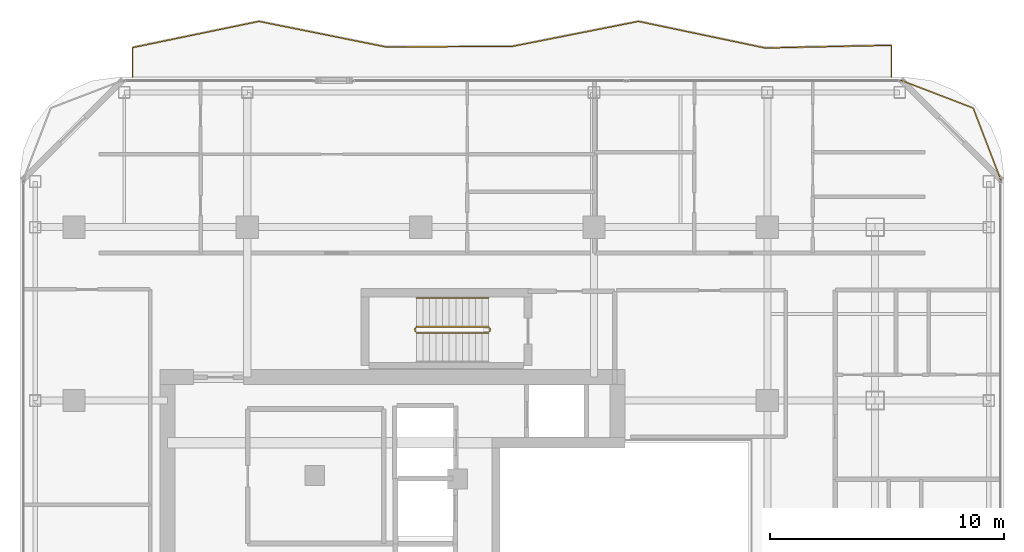
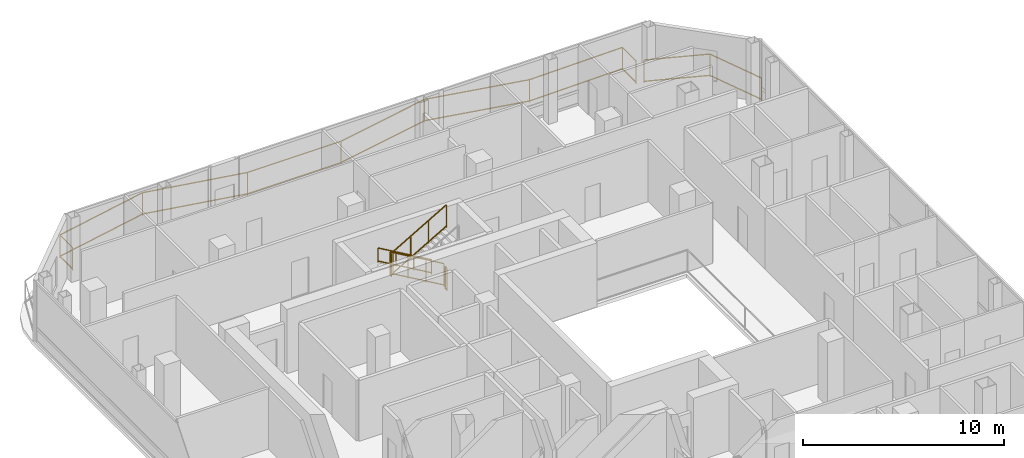
# One storey, part 24 of 24: 7 railings.
"""IFC4 building model written with IfcOpenShell, lengths in metres."""

import ifcopenshell
import ifcopenshell.guid

model = None  # the IFC model being written
_history = None  # IfcOwnerHistory: only IFC2X3 demands one
_inside = {}  # id of a spatial element -> (the spatial element, [elements in it])
_under = {}  # id of a project, library or spatial element -> (it, [spatial elements below it])
_declared = {}  # id of a project -> (the project, [libraries it declares])
_typed = {}  # id of a type object -> (the type object, [elements of that type])
_made_of = {}  # id of a material, layer set ... -> (it, [elements and type objects made of it])


def new_model(schema):
    """Start an empty IFC model of exactly this schema.

    Asked for "IFC4X3", IfcOpenShell would pick the latest addendum, in which some entities
    have other attributes; the version numbers below select the first issue.
    IFC2X3 requires an IfcOwnerHistory on every rooted entity: one is made here for all.
    """
    global model, _history
    if schema == "IFC4X3":
        model = ifcopenshell.file(schema_version=(4, 3, 0, 0))
    else:
        model = ifcopenshell.file(schema=schema)
    _inside.clear()
    _under.clear()
    _declared.clear()
    _typed.clear()
    _made_of.clear()
    _history = None
    if model.schema == "IFC2X3":
        org = make("IfcOrganization", Name="unknown")
        user = make(
            "IfcPersonAndOrganization",
            ThePerson=make("IfcPerson", FamilyName="unknown"),
            TheOrganization=org,
        )
        app = make(
            "IfcApplication",
            ApplicationDeveloper=org,
            Version="unknown",
            ApplicationFullName="unknown",
            ApplicationIdentifier="unknown",
        )
        _history = make(
            "IfcOwnerHistory",
            OwningUser=user,
            OwningApplication=app,
            ChangeAction="ADDED",
            CreationDate=0,
        )
    return model


def make(cls, **values):
    """One entity of the class cls with the attributes given. An attribute that is None is left unset."""
    return model.create_entity(
        cls, **{name: value for name, value in values.items() if value is not None}
    )


def rooted(cls, **values):
    """An entity with a GlobalId (a new one), such as an element, a storey or a relation."""
    return make(cls, GlobalId=ifcopenshell.guid.new(), OwnerHistory=_history, **values)


def si_unit(unit_type, name, prefix=None):
    """IfcSIUnit, for example si_unit("LENGTHUNIT", "METRE", prefix="MILLI")."""
    return make("IfcSIUnit", UnitType=unit_type, Prefix=prefix, Name=name)


def assignment(units):
    """IfcUnitAssignment: the units of a project."""
    return None if units is None else make("IfcUnitAssignment", Units=units)


def point(xyz):
    """IfcCartesianPoint."""
    return None if xyz is None else make("IfcCartesianPoint", Coordinates=xyz)


def direction(xyz):
    """IfcDirection."""
    return None if xyz is None else make("IfcDirection", DirectionRatios=xyz)


def frame(location, z_axis=None, x_axis=None):
    """IfcAxis2Placement3D, a coordinate frame: its origin and axes. An axis left out is left unset."""
    return make(
        "IfcAxis2Placement3D",
        Location=point(location),
        Axis=direction(z_axis),
        RefDirection=direction(x_axis),
    )


def frame_2d(location, x_axis=None):
    """IfcAxis2Placement2D, a coordinate frame in the plane: its origin and x axis."""
    return make(
        "IfcAxis2Placement2D", Location=point(location), RefDirection=direction(x_axis)
    )


def origin():
    """The frame at (0, 0, 0) with its axes left unset."""
    return frame((0.0, 0.0, 0.0))


def origin_2d():
    """The frame at (0, 0) in the plane with its x axis left unset."""
    return frame_2d((0.0, 0.0))


def place(relative_to, where):
    """IfcLocalPlacement: puts the frame where relative to a parent placement (None: the world)."""
    return make(
        "IfcLocalPlacement", PlacementRelTo=relative_to, RelativePlacement=where
    )


def context(
    kind, dimensions, precision=None, world=None, true_north=None, identifier=None
):
    """IfcGeometricRepresentationContext, for example the 3D "Model" context."""
    return make(
        "IfcGeometricRepresentationContext",
        ContextIdentifier=identifier,
        ContextType=kind,
        CoordinateSpaceDimension=dimensions,
        Precision=precision,
        WorldCoordinateSystem=world,
        TrueNorth=true_north,
    )


def subcontext(parent, identifier, kind, view, scale=None):
    """IfcGeometricRepresentationSubContext, for example "Body" below "Model"."""
    return make(
        "IfcGeometricRepresentationSubContext",
        ContextIdentifier=identifier,
        ContextType=kind,
        ParentContext=parent,
        TargetScale=scale,
        TargetView=view,
    )


def project(units=None, contexts=None):
    """IfcProject with its units and contexts."""
    return rooted(
        "IfcProject",
        Name="project",
        RepresentationContexts=contexts,
        UnitsInContext=assignment(units),
    )


def spatial(cls, under=None, at=None, **own):
    """A site, building, storey or space (cls), placed at a placement, below another one or the project."""
    s = rooted(cls, ObjectPlacement=at, **own)
    if under is not None:
        _under.setdefault(under.id(), (under, []))[1].append(s)
    return s


def profile(cls, at=None, kind="AREA", **sizes):
    """A parametric profile (cls). Its sizes go by their IFC names, for example OverallWidth=200.0."""
    return make(cls, ProfileType=kind, Position=at, **sizes)


def rectangle(**sizes):
    """IfcRectangleProfileDef."""
    return profile("IfcRectangleProfileDef", **sizes)


def extrude(swept, where, along, depth):
    """IfcExtrudedAreaSolid: the profile swept, set in the frame where, extruded along a direction by depth."""
    return make(
        "IfcExtrudedAreaSolid",
        SweptArea=swept,
        Position=where,
        ExtrudedDirection=direction(along),
        Depth=depth,
    )


def shape(context_of_items, identifier, shape_type, items):
    """IfcShapeRepresentation: the items that make up one representation, for example the "Body"."""
    return make(
        "IfcShapeRepresentation",
        ContextOfItems=context_of_items,
        RepresentationIdentifier=identifier,
        RepresentationType=shape_type,
        Items=items,
    )


def material(Name=None, Category=None):
    """IfcMaterial."""
    return make("IfcMaterial", Name=Name, Category=Category)


def made_of(thing, what):
    """Note that an element or type object is made of a material, layer set ...; save() writes the relation."""
    if what is not None:
        _made_of.setdefault(what.id(), (what, []))[1].append(thing)
    return thing


def type_object(cls, material=None, **own):
    """A type object (cls), such as IfcWallType, which elements share."""
    return made_of(rooted(cls, **own), material)


def element(
    cls,
    number,
    at=None,
    inside=None,
    cuts=None,
    type_object=None,
    material=None,
    context=None,
    identifier="Body",
    shape_type=None,
    held_by="IfcProductDefinitionShape",
    body=None,
    shapes=None,
    **own,
):
    """One element of the class cls, such as IfcWall. Its Tag is "e" and its number.

    at: its placement. inside: the storey or other place that contains it. cuts: it is an
    opening in that element (IfcRelVoidsElement). A single representation is given by context,
    identifier, shape_type and body (its items); several are given by shapes. held_by: the class
    of the entity that holds the representations. save() writes the other relations.
    """
    e = rooted(cls, Tag="e%d" % number, ObjectPlacement=at, **own)
    if body is not None:
        shapes = [shape(context, identifier, shape_type, body)]
    if shapes is not None:
        e.Representation = make(held_by, Representations=shapes)
    if inside is not None:
        _inside.setdefault(inside.id(), (inside, []))[1].append(e)
    if cuts is not None:
        rooted(
            "IfcRelVoidsElement", RelatingBuildingElement=cuts, RelatedOpeningElement=e
        )
    if type_object is not None:
        _typed.setdefault(type_object.id(), (type_object, []))[1].append(e)
    return made_of(e, material)


def aggregate(whole, parts):
    """IfcRelAggregates: a whole, such as a stair, and the parts it consists of."""
    return rooted("IfcRelAggregates", RelatingObject=whole, RelatedObjects=parts)


def save(model, path):
    """Write the relations noted so far, then the file.

    IfcRelAggregates (storeys below a building ...), IfcRelContainedInSpatialStructure (elements
    in a storey), IfcRelDefinesByType, IfcRelAssociatesMaterial and IfcRelDeclares: one each for
    every whole, place, type object, material and project.
    """
    for whole, parts in _under.values():
        aggregate(whole, parts)
    for where, things in _inside.values():
        rooted(
            "IfcRelContainedInSpatialStructure",
            RelatedElements=things,
            RelatingStructure=where,
        )
    for kind, things in _typed.values():
        rooted("IfcRelDefinesByType", RelatedObjects=things, RelatingType=kind)
    for what, things in _made_of.values():
        rooted("IfcRelAssociatesMaterial", RelatedObjects=things, RelatingMaterial=what)
    for by, libraries in _declared.values():
        rooted("IfcRelDeclares", RelatingContext=by, RelatedDefinitions=libraries)
    model.write(path)


model = new_model("IFC4")

# Units and contexts
model_context = context("Model", 3, precision=1e-05, world=origin(), true_north=direction((0.0, 1.0)))
body_context = subcontext(model_context, "Body", "Model", "MODEL_VIEW")
ifc_project = project(units=[si_unit("LENGTHUNIT", "METRE"), si_unit("AREAUNIT", "SQUARE_METRE"), si_unit("VOLUMEUNIT", "CUBIC_METRE"), si_unit("PLANEANGLEUNIT", "RADIAN"), si_unit("MASSUNIT", "GRAM", prefix="KILO")], contexts=[model_context])

# Site, building, storey
site_placement = place(None, origin())
site = spatial("IfcSite", under=ifc_project, at=site_placement, CompositionType="ELEMENT")
building_placement = place(site_placement, origin())
building = spatial("IfcBuilding", under=site, at=building_placement, Name="Khorvyn Point Tower", CompositionType="ELEMENT")
storey_placement = place(building_placement, frame((0.0, 0.0, 266.39990234375)))
storey = spatial("IfcBuildingStorey", under=building, at=storey_placement, Name="L65", CompositionType="ELEMENT", Elevation=266.39990234375)

# Railings
ifc_material_1 = material(Name="Anodised aluminium 6063-T6 and laminated safety glass", Category="aluminium")
railing_type_1 = type_object("IfcRailingType", Name="Laminated Glass and Aluminium Balcony Guardrail 1400", PredefinedType="BALUSTRADE", material=ifc_material_1)
railing_1_placement = place(storey_placement, frame((24.7744140625, 16.78662109375, 0.0)))
element("IfcRailing", 1, at=railing_1_placement, inside=storey, type_object=railing_type_1, Name="L65 Rounded Corner Edge Guardrail NE", PredefinedType="BALUSTRADE", context=body_context, shape_type="SweptSolid", body=[
    extrude(rectangle(XDim=0.048095703125, YDim=0.048095703125, at=origin_2d()), frame((0.0, 0.0, 1.3759765625), z_axis=(-0.358392411044, 0.93357103624, 0.0), x_axis=(-0.93357103624, -0.358392411044, 0.0)), (0.0, 0.0, 1.0), 3.31884765625),
    extrude(rectangle(XDim=0.048095703125, YDim=0.048095703125, at=origin_2d()), frame((0.0, 0.0, 0.080078125), z_axis=(-0.358392411044, 0.93357103624, 0.0), x_axis=(-0.93357103624, -0.358392411044, 0.0)), (0.0, 0.0, 1.0), 3.31884765625),
    extrude(rectangle(XDim=0.048095703125, YDim=0.048095703125, at=origin_2d()), frame((-1.189453125, 3.098388671875, 1.3759765625), z_axis=(-0.93357103624, 0.358392411044, 0.0), x_axis=(-0.358392411044, -0.93357103624, 0.0)), (0.0, 0.0, 1.0), 3.31884765625),
    extrude(rectangle(XDim=0.048095703125, YDim=0.048095703125, at=origin_2d()), frame((-1.189453125, 3.098388671875, 0.080078125), z_axis=(-0.93357103624, 0.358392411044, 0.0), x_axis=(-0.358392411044, -0.93357103624, 0.0)), (0.0, 0.0, 1.0), 3.31884765625),
    extrude(rectangle(XDim=0.0419921875, YDim=0.0419921875, at=origin_2d()), origin(), (0.0, 0.0, 1.0), 1.351806640625),
    extrude(rectangle(XDim=0.0419921875, YDim=0.0419921875, at=origin_2d()), frame((-1.189453125, 3.098388671875, 0.0)), (0.0, 0.0, 1.0), 1.351806640625),
    extrude(rectangle(XDim=0.0419921875, YDim=0.0419921875, at=origin_2d()), frame((-4.287841796875, 4.287841796875, 0.0)), (0.0, 0.0, 1.0), 1.351806640625),
])
railing_2_placement = place(storey_placement, frame((20.10009765625, 21.199951171875, 0.0)))
element("IfcRailing", 2, at=railing_2_placement, inside=storey, type_object=railing_type_1, Name="L65 North Balcony Guardrail", PredefinedType="BALUSTRADE", context=body_context, shape_type="SweptSolid", body=[
    extrude(rectangle(XDim=0.048095703125, YDim=0.048095703125, at=origin_2d()), frame((0.0, 0.0, 1.3759765625), z_axis=(0.0, 1.0, 0.0), x_axis=(-1.0, 0.0, 0.0)), (0.0, 0.0, 1.0), 1.362548828125),
    extrude(rectangle(XDim=0.048095703125, YDim=0.048095703125, at=origin_2d()), frame((0.0, 0.0, 0.080078125), z_axis=(0.0, 1.0, 0.0), x_axis=(-1.0, 0.0, 0.0)), (0.0, 0.0, 1.0), 1.362548828125),
    extrude(rectangle(XDim=0.048095703125, YDim=0.048095703125, at=origin_2d()), frame((0.0, 1.362548828125, 1.3759765625), z_axis=(-0.999771433598, -0.021379442474, 0.0), x_axis=(0.021379442474, -0.999771433598, 0.0)), (0.0, 0.0, 1.0), 5.4013671875),
    extrude(rectangle(XDim=0.048095703125, YDim=0.048095703125, at=origin_2d()), frame((0.0, 1.362548828125, 0.080078125), z_axis=(-0.999771433598, -0.021379442474, 0.0), x_axis=(0.021379442474, -0.999771433598, 0.0)), (0.0, 0.0, 1.0), 5.4013671875),
    extrude(rectangle(XDim=0.048095703125, YDim=0.048095703125, at=origin_2d()), frame((-5.400146484375, 1.2470703125, 1.3759765625), z_axis=(-0.978633735831, 0.205611310715, 0.0), x_axis=(-0.205611310715, -0.978633735831, 0.0)), (0.0, 0.0, 1.0), 5.517822265625),
    extrude(rectangle(XDim=0.048095703125, YDim=0.048095703125, at=origin_2d()), frame((-5.400146484375, 1.2470703125, 0.080078125), z_axis=(-0.978633735831, 0.205611310715, 0.0), x_axis=(-0.205611310715, -0.978633735831, 0.0)), (0.0, 0.0, 1.0), 5.517822265625),
    extrude(rectangle(XDim=0.048095703125, YDim=0.048095703125, at=origin_2d()), frame((-10.800048828125, 2.381591796875, 1.3759765625), z_axis=(-0.980935546129, -0.194333358793, 0.0), x_axis=(0.194333358793, -0.980935546129, 0.0)), (0.0, 0.0, 1.0), 5.505126953125),
    extrude(rectangle(XDim=0.048095703125, YDim=0.048095703125, at=origin_2d()), frame((-10.800048828125, 2.381591796875, 0.080078125), z_axis=(-0.980935546129, -0.194333358793, 0.0), x_axis=(0.194333358793, -0.980935546129, 0.0)), (0.0, 0.0, 1.0), 5.505126953125),
    extrude(rectangle(XDim=0.048095703125, YDim=0.048095703125, at=origin_2d()), frame((-16.2001953125, 1.311767578125, 1.3759765625), z_axis=(-0.999995274007, -0.003074404496, 0.0), x_axis=(0.003074404496, -0.999995274007, 0.0)), (0.0, 0.0, 1.0), 5.39990234375),
    extrude(rectangle(XDim=0.048095703125, YDim=0.048095703125, at=origin_2d()), frame((-16.2001953125, 1.311767578125, 0.080078125), z_axis=(-0.999995274007, -0.003074404496, 0.0), x_axis=(0.003074404496, -0.999995274007, 0.0)), (0.0, 0.0, 1.0), 5.39990234375),
    extrude(rectangle(XDim=0.048095703125, YDim=0.048095703125, at=origin_2d()), frame((-21.60009765625, 1.295166015625, 1.3759765625), z_axis=(-0.980329281504, 0.197368943419, 0.0), x_axis=(-0.197368943419, -0.980329281504, 0.0)), (0.0, 0.0, 1.0), 5.50830078125),
    extrude(rectangle(XDim=0.048095703125, YDim=0.048095703125, at=origin_2d()), frame((-21.60009765625, 1.295166015625, 0.080078125), z_axis=(-0.980329281504, 0.197368943419, 0.0), x_axis=(-0.197368943419, -0.980329281504, 0.0)), (0.0, 0.0, 1.0), 5.50830078125),
    extrude(rectangle(XDim=0.048095703125, YDim=0.048095703125, at=origin_2d()), frame((-27.0, 2.38232421875, 1.3759765625), z_axis=(-0.979175531991, -0.203015461355, 0.0), x_axis=(0.203015461355, -0.979175531991, 0.0)), (0.0, 0.0, 1.0), 5.514892578125),
    extrude(rectangle(XDim=0.048095703125, YDim=0.048095703125, at=origin_2d()), frame((-27.0, 2.38232421875, 0.080078125), z_axis=(-0.979175531991, -0.203015461355, 0.0), x_axis=(0.203015461355, -0.979175531991, 0.0)), (0.0, 0.0, 1.0), 5.514892578125),
    extrude(rectangle(XDim=0.048095703125, YDim=0.048095703125, at=origin_2d()), frame((-32.400146484375, 1.2626953125, 1.3759765625), z_axis=(0.0, -1.0, 0.0), x_axis=(1.0, 0.0, 0.0)), (0.0, 0.0, 1.0), 1.2626953125),
    extrude(rectangle(XDim=0.048095703125, YDim=0.048095703125, at=origin_2d()), frame((-32.400146484375, 1.2626953125, 0.080078125), z_axis=(0.0, -1.0, 0.0), x_axis=(1.0, 0.0, 0.0)), (0.0, 0.0, 1.0), 1.2626953125),
    extrude(rectangle(XDim=0.0419921875, YDim=0.0419921875, at=origin_2d()), origin(), (0.0, 0.0, 1.0), 1.351806640625),
    extrude(rectangle(XDim=0.0419921875, YDim=0.0419921875, at=origin_2d()), frame((0.0, 1.362548828125, 0.0)), (0.0, 0.0, 1.0), 1.351806640625),
    extrude(rectangle(XDim=0.0419921875, YDim=0.0419921875, at=origin_2d()), frame((-5.400146484375, 1.2470703125, 0.0)), (0.0, 0.0, 1.0), 1.351806640625),
    extrude(rectangle(XDim=0.0419921875, YDim=0.0419921875, at=origin_2d()), frame((-10.800048828125, 2.381591796875, 0.0)), (0.0, 0.0, 1.0), 1.351806640625),
    extrude(rectangle(XDim=0.0419921875, YDim=0.0419921875, at=origin_2d()), frame((-16.2001953125, 1.311767578125, 0.0)), (0.0, 0.0, 1.0), 1.351806640625),
    extrude(rectangle(XDim=0.0419921875, YDim=0.0419921875, at=origin_2d()), frame((-21.60009765625, 1.295166015625, 0.0)), (0.0, 0.0, 1.0), 1.351806640625),
    extrude(rectangle(XDim=0.0419921875, YDim=0.0419921875, at=origin_2d()), frame((-27.0, 2.38232421875, 0.0)), (0.0, 0.0, 1.0), 1.351806640625),
    extrude(rectangle(XDim=0.0419921875, YDim=0.0419921875, at=origin_2d()), frame((-32.400146484375, 1.2626953125, 0.0)), (0.0, 0.0, 1.0), 1.351806640625),
    extrude(rectangle(XDim=0.0419921875, YDim=0.0419921875, at=origin_2d()), frame((-32.400146484375, 0.0, 0.0)), (0.0, 0.0, 1.0), 1.351806640625),
])
ifc_material_2 = material(Name="Stainless steel 1.4301", Category="steel")
railing_type_2 = type_object("IfcRailingType", Name="Stainless Steel 304 Stair Pitch Handrail 900", PredefinedType="HANDRAIL", material=ifc_material_2)
railing_3_placement = place(storey_placement, frame((2.89990234375, 11.77001953125, 0.16259765625)))
element("IfcRailing", 3, at=railing_3_placement, inside=storey, type_object=railing_type_2, Name="L65 ST-02 stair handrail 1", PredefinedType="HANDRAIL", context=body_context, shape_type="SweptSolid", body=[
    extrude(rectangle(XDim=0.048095703125, YDim=0.048095703125, at=origin_2d()), frame((0.0, 0.0, 0.8759765625), z_axis=(-0.864873446163, 0.0, 0.501989962173), x_axis=(0.0, -1.0, 0.0)), (0.0, 0.0, 1.0), 3.56103515625),
    extrude(rectangle(XDim=0.048095703125, YDim=0.048095703125, at=origin_2d()), frame((0.0, 0.0, 0.080078125), z_axis=(-0.864873446163, 0.0, 0.501989962173), x_axis=(0.0, -1.0, 0.0)), (0.0, 0.0, 1.0), 3.56103515625),
    extrude(rectangle(XDim=0.0419921875, YDim=0.0419921875, at=origin_2d()), origin(), (0.0, 0.0, 1.0), 0.851806640625),
    extrude(rectangle(XDim=0.0419921875, YDim=0.0419921875, at=origin_2d()), frame((-1.026611328125, 0.0, 0.595947265625)), (0.0, 0.0, 1.0), 0.851806640625),
    extrude(rectangle(XDim=0.0419921875, YDim=0.0419921875, at=origin_2d()), frame((-2.05322265625, 0.0, 1.191650390625)), (0.0, 0.0, 1.0), 0.851806640625),
    extrude(rectangle(XDim=0.0419921875, YDim=0.0419921875, at=origin_2d()), frame((-3.079833984375, 0.0, 1.78759765625)), (0.0, 0.0, 1.0), 0.851806640625),
])
railing_type_3 = type_object("IfcRailingType", Name="Stainless Steel 304 Stair Well Guardrail 1400", PredefinedType="GUARDRAIL", material=ifc_material_2)
railing_4_placement = place(storey_placement, frame((2.89990234375, 10.550048828125, 0.16259765625)))
element("IfcRailing", 4, at=railing_4_placement, inside=storey, type_object=railing_type_3, Name="L65 ST-02 stair guard 1", PredefinedType="GUARDRAIL", context=body_context, shape_type="SweptSolid", body=[
    extrude(rectangle(XDim=0.048095703125, YDim=0.048095703125, at=origin_2d()), frame((0.0, 0.0, 1.3759765625), z_axis=(-0.864873446163, 0.0, 0.501989962173), x_axis=(0.0, -1.0, 0.0)), (0.0, 0.0, 1.0), 3.56103515625),
    extrude(rectangle(XDim=0.048095703125, YDim=0.048095703125, at=origin_2d()), frame((0.0, 0.0, 0.080078125), z_axis=(-0.864873446163, 0.0, 0.501989962173), x_axis=(0.0, -1.0, 0.0)), (0.0, 0.0, 1.0), 3.56103515625),
    extrude(rectangle(XDim=0.0419921875, YDim=0.0419921875, at=origin_2d()), origin(), (0.0, 0.0, 1.0), 1.351806640625),
    extrude(rectangle(XDim=0.0419921875, YDim=0.0419921875, at=origin_2d()), frame((-1.026611328125, 0.0, 0.595947265625)), (0.0, 0.0, 1.0), 1.351806640625),
    extrude(rectangle(XDim=0.0419921875, YDim=0.0419921875, at=origin_2d()), frame((-2.05322265625, 0.0, 1.191650390625)), (0.0, 0.0, 1.0), 1.351806640625),
    extrude(rectangle(XDim=0.0419921875, YDim=0.0419921875, at=origin_2d()), frame((-3.079833984375, 0.0, 1.78759765625)), (0.0, 0.0, 1.0), 1.351806640625),
])
railing_5_placement = place(storey_placement, frame((-0.22998046875, 10.5, 1.9501953125)))
element("IfcRailing", 5, at=railing_5_placement, inside=storey, type_object=railing_type_3, Name="L65 ST-02 stair guard 2", PredefinedType="GUARDRAIL", context=body_context, shape_type="SweptSolid", body=[
    extrude(rectangle(XDim=0.048095703125, YDim=0.048095703125, at=origin_2d()), frame((0.0, 0.0, 1.3759765625), z_axis=(0.0, -1.0, 0.0), x_axis=(1.0, 0.0, 0.0)), (0.0, 0.0, 1.0), 0.159912109375),
    extrude(rectangle(XDim=0.048095703125, YDim=0.048095703125, at=origin_2d()), frame((0.0, 0.0, 0.080078125), z_axis=(0.0, -1.0, 0.0), x_axis=(1.0, 0.0, 0.0)), (0.0, 0.0, 1.0), 0.159912109375),
    extrude(rectangle(XDim=0.0419921875, YDim=0.0419921875, at=origin_2d()), origin(), (0.0, 0.0, 1.0), 1.351806640625),
    extrude(rectangle(XDim=0.0419921875, YDim=0.0419921875, at=origin_2d()), frame((0.0, -0.159912109375, 0.0)), (0.0, 0.0, 1.0), 1.351806640625),
])
railing_6_placement = place(storey_placement, frame((-0.179931640625, 10.2900390625, 2.112548828125)))
element("IfcRailing", 6, at=railing_6_placement, inside=storey, type_object=railing_type_3, Name="L65 ST-02 stair guard 3", PredefinedType="GUARDRAIL", context=body_context, shape_type="SweptSolid", body=[
    extrude(rectangle(XDim=0.048095703125, YDim=0.048095703125, at=origin_2d()), frame((0.0, 0.0, 1.3759765625), z_axis=(0.864873446163, 0.0, 0.501989962173), x_axis=(0.0, 1.0, 0.0)), (0.0, 0.0, 1.0), 3.56103515625),
    extrude(rectangle(XDim=0.048095703125, YDim=0.048095703125, at=origin_2d()), frame((0.0, 0.0, 0.080078125), z_axis=(0.864873446163, 0.0, 0.501989962173), x_axis=(0.0, 1.0, 0.0)), (0.0, 0.0, 1.0), 3.56103515625),
    extrude(rectangle(XDim=0.0419921875, YDim=0.0419921875, at=origin_2d()), origin(), (0.0, 0.0, 1.0), 1.351806640625),
    extrude(rectangle(XDim=0.0419921875, YDim=0.0419921875, at=origin_2d()), frame((1.026611328125, 0.0, 0.595947265625)), (0.0, 0.0, 1.0), 1.351806640625),
    extrude(rectangle(XDim=0.0419921875, YDim=0.0419921875, at=origin_2d()), frame((2.05322265625, 0.0, 1.191650390625)), (0.0, 0.0, 1.0), 1.351806640625),
    extrude(rectangle(XDim=0.0419921875, YDim=0.0419921875, at=origin_2d()), frame((3.079833984375, 0.0, 1.78759765625)), (0.0, 0.0, 1.0), 1.351806640625),
])
railing_7_placement = place(storey_placement, frame((2.949951171875, 10.5, 0.0)))
element("IfcRailing", 7, at=railing_7_placement, inside=storey, type_object=railing_type_3, Name="L65 ST-02 stair guard 4", PredefinedType="GUARDRAIL", context=body_context, shape_type="SweptSolid", body=[
    extrude(rectangle(XDim=0.048095703125, YDim=0.048095703125, at=origin_2d()), frame((0.0, 0.0, 1.3759765625), z_axis=(0.0, -1.0, 0.0), x_axis=(1.0, 0.0, 0.0)), (0.0, 0.0, 1.0), 0.159912109375),
    extrude(rectangle(XDim=0.048095703125, YDim=0.048095703125, at=origin_2d()), frame((0.0, 0.0, 0.080078125), z_axis=(0.0, -1.0, 0.0), x_axis=(1.0, 0.0, 0.0)), (0.0, 0.0, 1.0), 0.159912109375),
    extrude(rectangle(XDim=0.0419921875, YDim=0.0419921875, at=origin_2d()), origin(), (0.0, 0.0, 1.0), 1.351806640625),
    extrude(rectangle(XDim=0.0419921875, YDim=0.0419921875, at=origin_2d()), frame((0.0, -0.159912109375, 0.0)), (0.0, 0.0, 1.0), 1.351806640625),
])

save(model, "model.ifc")
